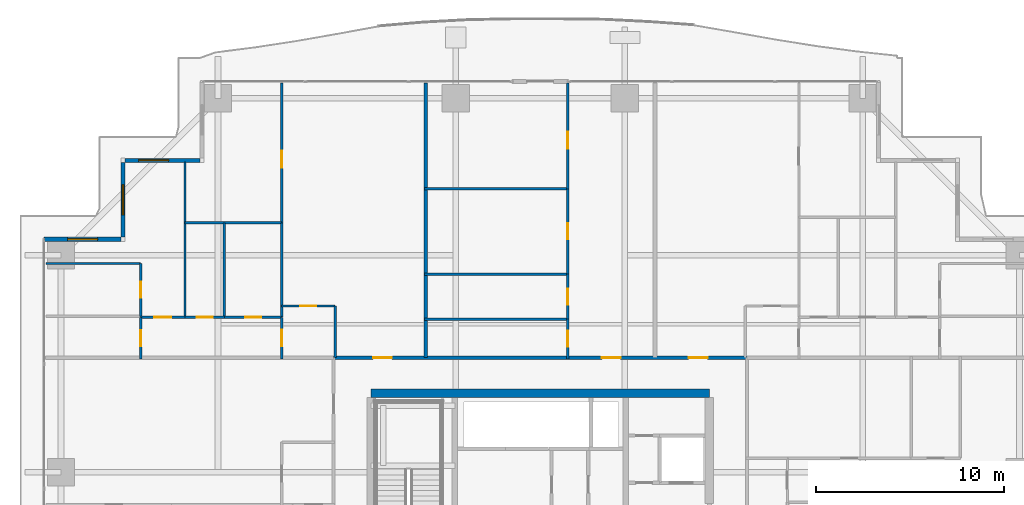
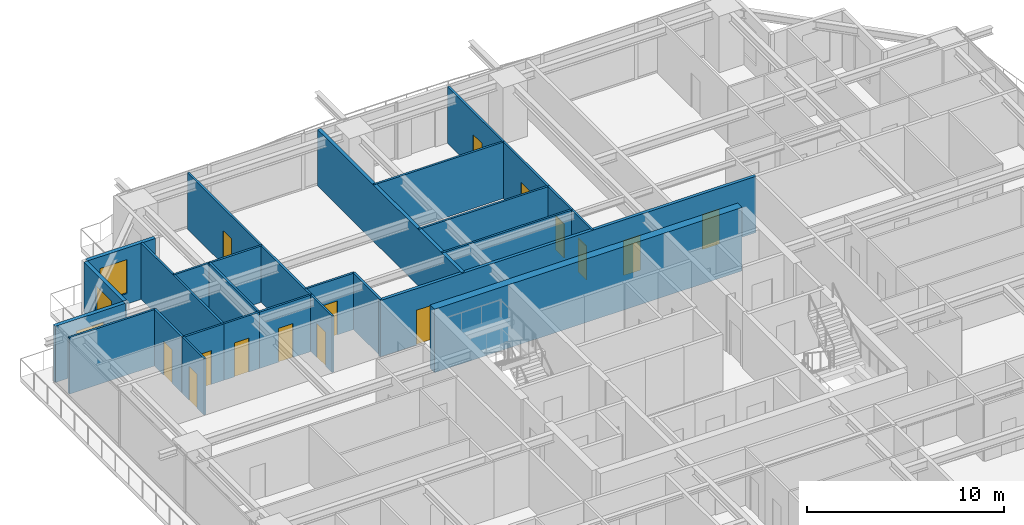
# One storey, part 30 of 37: 27 walls, 15 doors, 3 windows, 18 openings.
"""IFC4 building model written with IfcOpenShell, lengths in metres."""

import ifcopenshell
import ifcopenshell.guid

model = None  # the IFC model being written
_history = None  # IfcOwnerHistory: only IFC2X3 demands one
_inside = {}  # id of a spatial element -> (the spatial element, [elements in it])
_under = {}  # id of a project, library or spatial element -> (it, [spatial elements below it])
_declared = {}  # id of a project -> (the project, [libraries it declares])
_typed = {}  # id of a type object -> (the type object, [elements of that type])
_made_of = {}  # id of a material, layer set ... -> (it, [elements and type objects made of it])


def new_model(schema):
    """Start an empty IFC model of exactly this schema.

    Asked for "IFC4X3", IfcOpenShell would pick the latest addendum, in which some entities
    have other attributes; the version numbers below select the first issue.
    IFC2X3 requires an IfcOwnerHistory on every rooted entity: one is made here for all.
    """
    global model, _history
    if schema == "IFC4X3":
        model = ifcopenshell.file(schema_version=(4, 3, 0, 0))
    else:
        model = ifcopenshell.file(schema=schema)
    _inside.clear()
    _under.clear()
    _declared.clear()
    _typed.clear()
    _made_of.clear()
    _history = None
    if model.schema == "IFC2X3":
        org = make("IfcOrganization", Name="unknown")
        user = make(
            "IfcPersonAndOrganization",
            ThePerson=make("IfcPerson", FamilyName="unknown"),
            TheOrganization=org,
        )
        app = make(
            "IfcApplication",
            ApplicationDeveloper=org,
            Version="unknown",
            ApplicationFullName="unknown",
            ApplicationIdentifier="unknown",
        )
        _history = make(
            "IfcOwnerHistory",
            OwningUser=user,
            OwningApplication=app,
            ChangeAction="ADDED",
            CreationDate=0,
        )
    return model


def make(cls, **values):
    """One entity of the class cls with the attributes given. An attribute that is None is left unset."""
    return model.create_entity(
        cls, **{name: value for name, value in values.items() if value is not None}
    )


def rooted(cls, **values):
    """An entity with a GlobalId (a new one), such as an element, a storey or a relation."""
    return make(cls, GlobalId=ifcopenshell.guid.new(), OwnerHistory=_history, **values)


def si_unit(unit_type, name, prefix=None):
    """IfcSIUnit, for example si_unit("LENGTHUNIT", "METRE", prefix="MILLI")."""
    return make("IfcSIUnit", UnitType=unit_type, Prefix=prefix, Name=name)


def assignment(units):
    """IfcUnitAssignment: the units of a project."""
    return None if units is None else make("IfcUnitAssignment", Units=units)


def point(xyz):
    """IfcCartesianPoint."""
    return None if xyz is None else make("IfcCartesianPoint", Coordinates=xyz)


def direction(xyz):
    """IfcDirection."""
    return None if xyz is None else make("IfcDirection", DirectionRatios=xyz)


def frame(location, z_axis=None, x_axis=None):
    """IfcAxis2Placement3D, a coordinate frame: its origin and axes. An axis left out is left unset."""
    return make(
        "IfcAxis2Placement3D",
        Location=point(location),
        Axis=direction(z_axis),
        RefDirection=direction(x_axis),
    )


def frame_2d(location, x_axis=None):
    """IfcAxis2Placement2D, a coordinate frame in the plane: its origin and x axis."""
    return make(
        "IfcAxis2Placement2D", Location=point(location), RefDirection=direction(x_axis)
    )


def origin():
    """The frame at (0, 0, 0) with its axes left unset."""
    return frame((0.0, 0.0, 0.0))


def place(relative_to, where):
    """IfcLocalPlacement: puts the frame where relative to a parent placement (None: the world)."""
    return make(
        "IfcLocalPlacement", PlacementRelTo=relative_to, RelativePlacement=where
    )


def context(
    kind, dimensions, precision=None, world=None, true_north=None, identifier=None
):
    """IfcGeometricRepresentationContext, for example the 3D "Model" context."""
    return make(
        "IfcGeometricRepresentationContext",
        ContextIdentifier=identifier,
        ContextType=kind,
        CoordinateSpaceDimension=dimensions,
        Precision=precision,
        WorldCoordinateSystem=world,
        TrueNorth=true_north,
    )


def subcontext(parent, identifier, kind, view, scale=None):
    """IfcGeometricRepresentationSubContext, for example "Body" below "Model"."""
    return make(
        "IfcGeometricRepresentationSubContext",
        ContextIdentifier=identifier,
        ContextType=kind,
        ParentContext=parent,
        TargetScale=scale,
        TargetView=view,
    )


def project(units=None, contexts=None):
    """IfcProject with its units and contexts."""
    return rooted(
        "IfcProject",
        Name="project",
        RepresentationContexts=contexts,
        UnitsInContext=assignment(units),
    )


def spatial(cls, under=None, at=None, **own):
    """A site, building, storey or space (cls), placed at a placement, below another one or the project."""
    s = rooted(cls, ObjectPlacement=at, **own)
    if under is not None:
        _under.setdefault(under.id(), (under, []))[1].append(s)
    return s


def profile(cls, at=None, kind="AREA", **sizes):
    """A parametric profile (cls). Its sizes go by their IFC names, for example OverallWidth=200.0."""
    return make(cls, ProfileType=kind, Position=at, **sizes)


def rectangle(**sizes):
    """IfcRectangleProfileDef."""
    return profile("IfcRectangleProfileDef", **sizes)


def extrude(swept, where, along, depth):
    """IfcExtrudedAreaSolid: the profile swept, set in the frame where, extruded along a direction by depth."""
    return make(
        "IfcExtrudedAreaSolid",
        SweptArea=swept,
        Position=where,
        ExtrudedDirection=direction(along),
        Depth=depth,
    )


def shape(context_of_items, identifier, shape_type, items):
    """IfcShapeRepresentation: the items that make up one representation, for example the "Body"."""
    return make(
        "IfcShapeRepresentation",
        ContextOfItems=context_of_items,
        RepresentationIdentifier=identifier,
        RepresentationType=shape_type,
        Items=items,
    )


def source(mapping_origin, context_of_items, identifier, shape_type, items):
    """IfcRepresentationMap: a shape defined once, which mapped items show again and again."""
    return make(
        "IfcRepresentationMap",
        MappingOrigin=mapping_origin,
        MappedRepresentation=shape(context_of_items, identifier, shape_type, items),
    )


def transform(
    local_origin,
    x_axis=None,
    y_axis=None,
    z_axis=None,
    scale=None,
    scale2=None,
    scale3=None,
    uniform=True,
):
    """IfcCartesianTransformationOperator3D, or its non-uniform kind. x_axis, y_axis, z_axis: its Axis1, 2, 3."""
    if uniform:
        return make(
            "IfcCartesianTransformationOperator3D",
            Axis1=direction(x_axis),
            Axis2=direction(y_axis),
            LocalOrigin=point(local_origin),
            Scale=scale,
            Axis3=direction(z_axis),
        )
    return make(
        "IfcCartesianTransformationOperator3DnonUniform",
        Axis1=direction(x_axis),
        Axis2=direction(y_axis),
        LocalOrigin=point(local_origin),
        Scale=scale,
        Axis3=direction(z_axis),
        Scale2=scale2,
        Scale3=scale3,
    )


def mapped(mapping_source, mapping_target):
    """IfcMappedItem: shows the shape of a source again, moved by a transform."""
    return make(
        "IfcMappedItem", MappingSource=mapping_source, MappingTarget=mapping_target
    )


def material(Name=None, Category=None):
    """IfcMaterial."""
    return make("IfcMaterial", Name=Name, Category=Category)


def layer(
    of_material, thickness, ventilated=None, Name=None, Category=None, Priority=None
):
    """IfcMaterialLayer: one layer of a wall or slab, of a material (None: an air gap)."""
    return make(
        "IfcMaterialLayer",
        Material=of_material,
        LayerThickness=thickness,
        IsVentilated=ventilated,
        Name=Name,
        Category=Category,
        Priority=Priority,
    )


def layer_set(layers, Name=None):
    """IfcMaterialLayerSet."""
    return make("IfcMaterialLayerSet", MaterialLayers=layers, LayerSetName=Name)


def made_of(thing, what):
    """Note that an element or type object is made of a material, layer set ...; save() writes the relation."""
    if what is not None:
        _made_of.setdefault(what.id(), (what, []))[1].append(thing)
    return thing


def type_object(cls, material=None, **own):
    """A type object (cls), such as IfcWallType, which elements share."""
    return made_of(rooted(cls, **own), material)


def element(
    cls,
    number,
    at=None,
    inside=None,
    cuts=None,
    type_object=None,
    material=None,
    context=None,
    identifier="Body",
    shape_type=None,
    held_by="IfcProductDefinitionShape",
    body=None,
    shapes=None,
    **own,
):
    """One element of the class cls, such as IfcWall. Its Tag is "e" and its number.

    at: its placement. inside: the storey or other place that contains it. cuts: it is an
    opening in that element (IfcRelVoidsElement). A single representation is given by context,
    identifier, shape_type and body (its items); several are given by shapes. held_by: the class
    of the entity that holds the representations. save() writes the other relations.
    """
    e = rooted(cls, Tag="e%d" % number, ObjectPlacement=at, **own)
    if body is not None:
        shapes = [shape(context, identifier, shape_type, body)]
    if shapes is not None:
        e.Representation = make(held_by, Representations=shapes)
    if inside is not None:
        _inside.setdefault(inside.id(), (inside, []))[1].append(e)
    if cuts is not None:
        rooted(
            "IfcRelVoidsElement", RelatingBuildingElement=cuts, RelatedOpeningElement=e
        )
    if type_object is not None:
        _typed.setdefault(type_object.id(), (type_object, []))[1].append(e)
    return made_of(e, material)


def fill(opening, filler):
    """IfcRelFillsElement: the door or window that sits in an opening."""
    return rooted(
        "IfcRelFillsElement",
        RelatingOpeningElement=opening,
        RelatedBuildingElement=filler,
    )


def aggregate(whole, parts):
    """IfcRelAggregates: a whole, such as a stair, and the parts it consists of."""
    return rooted("IfcRelAggregates", RelatingObject=whole, RelatedObjects=parts)


def save(model, path):
    """Write the relations noted so far, then the file.

    IfcRelAggregates (storeys below a building ...), IfcRelContainedInSpatialStructure (elements
    in a storey), IfcRelDefinesByType, IfcRelAssociatesMaterial and IfcRelDeclares: one each for
    every whole, place, type object, material and project.
    """
    for whole, parts in _under.values():
        aggregate(whole, parts)
    for where, things in _inside.values():
        rooted(
            "IfcRelContainedInSpatialStructure",
            RelatedElements=things,
            RelatingStructure=where,
        )
    for kind, things in _typed.values():
        rooted("IfcRelDefinesByType", RelatedObjects=things, RelatingType=kind)
    for what, things in _made_of.values():
        rooted("IfcRelAssociatesMaterial", RelatedObjects=things, RelatingMaterial=what)
    for by, libraries in _declared.values():
        rooted("IfcRelDeclares", RelatingContext=by, RelatedDefinitions=libraries)
    model.write(path)


model = new_model("IFC4")

# Units and contexts
model_context = context("Model", 3, precision=1e-05, world=origin(), true_north=direction((0.0, 1.0)))
body_context = subcontext(model_context, "Body", "Model", "MODEL_VIEW")
ifc_project = project(units=[si_unit("LENGTHUNIT", "METRE"), si_unit("AREAUNIT", "SQUARE_METRE"), si_unit("VOLUMEUNIT", "CUBIC_METRE"), si_unit("PLANEANGLEUNIT", "RADIAN"), si_unit("MASSUNIT", "GRAM", prefix="KILO")], contexts=[model_context])

# Site, building, storey
site_placement = place(None, origin())
site = spatial("IfcSite", under=ifc_project, at=site_placement, CompositionType="ELEMENT")
building_placement = place(site_placement, origin())
building = spatial("IfcBuilding", under=site, at=building_placement, Name="Serunith Strait Residences", CompositionType="ELEMENT")
storey_placement = place(building_placement, frame((0.0, 0.0, 26.699951171875)))
storey = spatial("IfcBuildingStorey", under=building, at=storey_placement, Name="L05", CompositionType="ELEMENT", Elevation=26.699951171875)

# Wall, opening, window
ifc_material_1 = material(Name="Pale-Champagne Aluminium Insulated Panel", Category="aluminium")
ifc_layer_1 = layer(ifc_material_1, 0.219970703125, Name="Pale-Champagne Aluminium Insulated Panel")
ifc_layer_set_1 = layer_set([ifc_layer_1], Name="Pale-Champagne Aluminium Insulated Panel")
wall_type_1 = type_object("IfcWallType", Name="EW-ALUM-220", PredefinedType="ELEMENTEDWALL", material=ifc_layer_set_1)
wall_1_placement = place(storey_placement, frame((14.2900390625, 46.0, 0.0), z_axis=(0.0, 0.0, 1.0), x_axis=(-1.0, 0.0, 0.0)))
wall_1 = element("IfcWall", 1, at=wall_1_placement, inside=storey, type_object=wall_type_1, Name="L05 Girih Serrated Corner Wall 13", PredefinedType="ELEMENTEDWALL", context=body_context, shape_type="SweptSolid", body=[
    extrude(rectangle(XDim=3.97998046875, YDim=0.219970703125, at=frame_2d((1.989990234375, 0.0))), origin(), (0.0, 0.0, 1.0), 3.47509765625),
])
opening_1_placement = place(wall_1_placement, frame((1.666015625, 0.0, 0.64990234375)))
opening_1 = element("IfcOpeningElement", 2, at=opening_1_placement, cuts=wall_1, Name="Opening W-02", PredefinedType="OPENING", context=body_context, shape_type="SweptSolid", body=[
    extrude(rectangle(XDim=1.60009765625, YDim=2.10009765625, at=frame_2d((0.800048828125, 1.050048828125))), frame((0.0, 0.1201171875, 0.0), z_axis=(0.0, -1.0, 0.0), x_axis=(1.0, 0.0, 0.0)), (0.0, 0.0, 1.0), 0.239990234375),
])
ifc_material_2 = material(Name="Ceramic-Fritted Operable Aluminium Window Glass", Category="aluminium")
window_type = type_object("IfcWindowType", Name="WIN-C2", PartitioningType="DOUBLE_PANEL_VERTICAL", PredefinedType="WINDOW", material=ifc_material_2)
shared_shape_1 = source(origin(), body_context, "Body", "SweptSolid", [
    extrude(rectangle(XDim=1.60009765625, YDim=2.10009765625, at=frame_2d((0.800048828125, 1.050048828125))), frame((0.0, 0.030029296875, 0.0), z_axis=(0.0, -1.0, 0.0), x_axis=(1.0, 0.0, 0.0)), (0.0, 0.0, 1.0), 0.06005859375),
])
window_1_placement = place(opening_1_placement, origin())
window_1 = element("IfcWindow", 3, at=window_1_placement, inside=storey, type_object=window_type, Name="L05 Corner Operable Fritted Window 13", OverallHeight=2.10009765625, OverallWidth=1.60009765625, PartitioningType="SINGLE_PANEL", PredefinedType="WINDOW", context=body_context, shape_type="MappedRepresentation", body=[
    mapped(shared_shape_1, transform((0.0, 0.0, 0.0), scale=1.0)),
])
fill(opening_1, window_1)

wall_2_placement = place(storey_placement, frame((10.199951171875, 45.889892578125, 0.0), z_axis=(0.0, 0.0, 1.0), x_axis=(0.0, -1.0, 0.0)))
wall_2 = element("IfcWall", 4, at=wall_2_placement, inside=storey, type_object=wall_type_1, Name="L05 Girih Serrated Corner Wall 14", PredefinedType="ELEMENTEDWALL", context=body_context, shape_type="SweptSolid", body=[
    extrude(rectangle(XDim=3.97998046875, YDim=0.219970703125, at=frame_2d((1.989990234375, 0.0))), origin(), (0.0, 0.0, 1.0), 3.47509765625),
])
opening_2_placement = place(wall_2_placement, frame((1.18994140625, 0.0, 0.64990234375)))
opening_2 = element("IfcOpeningElement", 5, at=opening_2_placement, cuts=wall_2, Name="Opening W-02", PredefinedType="OPENING", context=body_context, shape_type="SweptSolid", body=[
    extrude(rectangle(XDim=1.60009765625, YDim=2.10009765625, at=frame_2d((0.800048828125, 1.050048828125))), frame((0.0, 0.1201171875, 0.0), z_axis=(0.0, -1.0, 0.0), x_axis=(1.0, 0.0, 0.0)), (0.0, 0.0, 1.0), 0.239990234375),
])
window_2_placement = place(opening_2_placement, origin())
window_2 = element("IfcWindow", 6, at=window_2_placement, inside=storey, type_object=window_type, Name="L05 Corner Operable Fritted Window 14", OverallHeight=2.10009765625, OverallWidth=1.60009765625, PartitioningType="SINGLE_PANEL", PredefinedType="WINDOW", context=body_context, shape_type="MappedRepresentation", body=[
    mapped(shared_shape_1, transform((0.0, 0.0, 0.0), scale=1.0)),
])
fill(opening_2, window_2)

wall_3_placement = place(storey_placement, frame((10.090087890625, 41.800048828125, 0.0), z_axis=(0.0, 0.0, 1.0), x_axis=(-1.0, 0.0, 0.0)))
wall_3 = element("IfcWall", 7, at=wall_3_placement, inside=storey, type_object=wall_type_1, Name="L05 Girih Serrated Corner Wall 15", PredefinedType="ELEMENTEDWALL", context=body_context, shape_type="SweptSolid", body=[
    extrude(rectangle(XDim=4.090087890625, YDim=0.219970703125, at=frame_2d((2.044921875, 0.0))), origin(), (0.0, 0.0, 1.0), 3.47509765625),
])
opening_3_placement = place(wall_3_placement, frame((1.2451171875, 0.0, 0.64990234375)))
opening_3 = element("IfcOpeningElement", 8, at=opening_3_placement, cuts=wall_3, Name="Opening W-02", PredefinedType="OPENING", context=body_context, shape_type="SweptSolid", body=[
    extrude(rectangle(XDim=1.60009765625, YDim=2.10009765625, at=frame_2d((0.800048828125, 1.050048828125))), frame((0.0, 0.1201171875, 0.0), z_axis=(0.0, -1.0, 0.0), x_axis=(1.0, 0.0, 0.0)), (0.0, 0.0, 1.0), 0.239990234375),
])
window_3_placement = place(opening_3_placement, origin())
window_3 = element("IfcWindow", 9, at=window_3_placement, inside=storey, type_object=window_type, Name="L05 Corner Operable Fritted Window 15", OverallHeight=2.10009765625, OverallWidth=1.60009765625, PartitioningType="SINGLE_PANEL", PredefinedType="WINDOW", context=body_context, shape_type="MappedRepresentation", body=[
    mapped(shared_shape_1, transform((0.0, 0.0, 0.0), scale=1.0)),
])
fill(opening_3, window_3)

# Wall, openings, doors
ifc_material_3 = material(Name="Fire-rated acoustic gypsum partition")
ifc_layer_2 = layer(ifc_material_3, 0.179931640625, Name="Fire-rated acoustic gypsum partition")
ifc_layer_set_2 = layer_set([ifc_layer_2], Name="Fire-rated acoustic gypsum partition")
wall_type_2 = type_object("IfcWallType", Name="IW-CORR-180", PredefinedType="PARTITIONING", material=ifc_layer_set_2)
wall_4_placement = place(storey_placement, frame((21.402099609375, 35.5, 0.0), z_axis=(0.0, 0.0, 1.0), x_axis=(1.0, 0.0, 0.0)))
wall_4 = element("IfcWall", 10, at=wall_4_placement, inside=storey, type_object=wall_type_2, Name="L05 Partition Wall 024", PredefinedType="PARTITIONING", context=body_context, shape_type="SweptSolid", body=[
    extrude(rectangle(XDim=21.995849609375, YDim=0.179931640625, at=frame_2d((10.998046875, 0.0))), origin(), (0.0, 0.0, 1.0), 3.489990234375),
])
opening_4_placement = place(wall_4_placement, frame((2.10009765625, 0.0, 0.0)))
opening_4 = element("IfcOpeningElement", 11, at=opening_4_placement, cuts=wall_4, Name="Opening D-APT1000", PredefinedType="OPENING", context=body_context, shape_type="SweptSolid", body=[
    extrude(rectangle(XDim=1.0, YDim=2.14990234375, at=frame_2d((0.5, 1.074951171875))), frame((0.0, 0.10009765625, 0.0), z_axis=(0.0, -1.0, 0.0), x_axis=(1.0, 0.0, 0.0)), (0.0, 0.0, 1.0), 0.199951171875),
])
opening_5_placement = place(wall_4_placement, frame((14.277099609375, 0.0, 0.0)))
opening_5 = element("IfcOpeningElement", 12, at=opening_5_placement, cuts=wall_4, Name="Opening D-APT1000", PredefinedType="OPENING", context=body_context, shape_type="SweptSolid", body=[
    extrude(rectangle(XDim=1.0, YDim=2.14990234375, at=frame_2d((0.5, 1.074951171875))), frame((0.0, 0.10009765625, 0.0), z_axis=(0.0, -1.0, 0.0), x_axis=(1.0, 0.0, 0.0)), (0.0, 0.0, 1.0), 0.199951171875),
])
opening_6_placement = place(wall_4_placement, frame((18.89599609375, 0.0, 0.0)))
opening_6 = element("IfcOpeningElement", 13, at=opening_6_placement, cuts=wall_4, Name="Opening D-APT1000", PredefinedType="OPENING", context=body_context, shape_type="SweptSolid", body=[
    extrude(rectangle(XDim=1.0, YDim=2.14990234375, at=frame_2d((0.5, 1.074951171875))), frame((0.0, 0.10009765625, 0.0), z_axis=(0.0, -1.0, 0.0), x_axis=(1.0, 0.0, 0.0)), (0.0, 0.0, 1.0), 0.199951171875),
])
ifc_material_4 = material(Name="Solid timber engineered fire door", Category="wood")
door_type_1 = type_object("IfcDoorType", Name="ID-APT-1000", OperationType="NOTDEFINED", PredefinedType="DOOR", material=ifc_material_4)
shared_shape_2 = source(origin(), body_context, "Body", "SweptSolid", [
    extrude(rectangle(XDim=1.0, YDim=2.14990234375, at=frame_2d((0.5, 1.074951171875))), frame((0.0, 0.02490234375, 0.0), z_axis=(0.0, -1.0, 0.0), x_axis=(1.0, 0.0, 0.0)), (0.0, 0.0, 1.0), 0.050048828125),
])
door_1_placement = place(opening_4_placement, origin())
door_1 = element("IfcDoor", 14, at=door_1_placement, inside=storey, type_object=door_type_1, Name="L05 Unit 04 Entrance Door", OperationType="SINGLE_SWING_RIGHT", OverallHeight=2.14990234375, OverallWidth=1.0, PredefinedType="DOOR", context=body_context, shape_type="MappedRepresentation", body=[
    mapped(shared_shape_2, transform((0.0, 0.0, 0.0), scale=1.0)),
])
fill(opening_4, door_1)
door_2_placement = place(opening_5_placement, origin())
door_2 = element("IfcDoor", 15, at=door_2_placement, inside=storey, type_object=door_type_1, Name="L05 Unit 05 Entrance Door", OperationType="SINGLE_SWING_LEFT", OverallHeight=2.14990234375, OverallWidth=1.0, PredefinedType="DOOR", context=body_context, shape_type="MappedRepresentation", body=[
    mapped(shared_shape_2, transform((0.0, 0.0, 0.0), scale=1.0)),
])
fill(opening_5, door_2)
door_3_placement = place(opening_6_placement, origin())
door_3 = element("IfcDoor", 16, at=door_3_placement, inside=storey, type_object=door_type_1, Name="L05 Unit 06 Entrance Door", OperationType="SINGLE_SWING_RIGHT", OverallHeight=2.14990234375, OverallWidth=1.0, PredefinedType="DOOR", context=body_context, shape_type="MappedRepresentation", body=[
    mapped(shared_shape_2, transform((0.0, 0.0, 0.0), scale=1.0)),
])
fill(opening_6, door_3)

# Wall, opening, door
ifc_material_5 = material(Name="Lightweight steel-stud gypsum partition", Category="steel")
ifc_layer_3 = layer(ifc_material_5, 0.1201171875, Name="Lightweight steel-stud gypsum partition")
ifc_layer_set_3 = layer_set([ifc_layer_3], Name="Lightweight steel-stud gypsum partition")
wall_type_3 = type_object("IfcWallType", Name="IW-PART-120", PredefinedType="PARTITIONING", material=ifc_layer_set_3)
wall_5_placement = place(storey_placement, frame((18.639892578125, 38.25, 0.0), z_axis=(0.0, 0.0, 1.0), x_axis=(1.0, 0.0, 0.0)))
wall_5 = element("IfcWall", 17, at=wall_5_placement, inside=storey, type_object=wall_type_3, Name="L05 Partition Wall 064", PredefinedType="PARTITIONING", context=body_context, shape_type="SweptSolid", body=[
    extrude(rectangle(XDim=2.85009765625, YDim=0.1201171875, at=frame_2d((1.425048828125, 0.0))), origin(), (0.0, 0.0, 1.0), 3.489990234375),
])
opening_7_placement = place(wall_5_placement, frame((1.0, 0.0, 0.0)))
opening_7 = element("IfcOpeningElement", 18, at=opening_7_placement, cuts=wall_5, Name="Opening D-RM850", PredefinedType="OPENING", context=body_context, shape_type="SweptSolid", body=[
    extrude(rectangle(XDim=0.85009765625, YDim=2.10009765625, at=frame_2d((0.425048828125, 1.050048828125))), frame((0.0, 0.070068359375, 0.0), z_axis=(0.0, -1.0, 0.0), x_axis=(1.0, 0.0, 0.0)), (0.0, 0.0, 1.0), 0.14013671875),
])
ifc_material_6 = material(Name="Engineered timber flush study and kitchen door", Category="wood")
door_type_2 = type_object("IfcDoorType", Name="ID-ROOM-850", OperationType="NOTDEFINED", PredefinedType="DOOR", material=ifc_material_6)
shared_shape_3 = source(origin(), body_context, "Body", "SweptSolid", [
    extrude(rectangle(XDim=0.85009765625, YDim=2.10009765625, at=frame_2d((0.425048828125, 1.050048828125))), frame((0.0, 0.02490234375, 0.0), z_axis=(0.0, -1.0, 0.0), x_axis=(1.0, 0.0, 0.0)), (0.0, 0.0, 1.0), 0.050048828125),
])
door_4_placement = place(opening_7_placement, origin())
door_4 = element("IfcDoor", 19, at=door_4_placement, inside=storey, type_object=door_type_2, Name="L05 Kitchen 0504 Door", OperationType="SINGLE_SWING_LEFT", OverallHeight=2.10009765625, OverallWidth=0.85009765625, PredefinedType="DOOR", context=body_context, shape_type="MappedRepresentation", body=[
    mapped(shared_shape_3, transform((0.0, 0.0, 0.0), scale=1.0)),
])
fill(opening_7, door_4)

# Wall
wall_6_placement = place(storey_placement, frame((21.489990234375, 38.25, 0.0), z_axis=(0.0, 0.0, 1.0), x_axis=(0.0, -1.0, 0.0)))
element("IfcWall", 20, at=wall_6_placement, inside=storey, type_object=wall_type_3, Name="L05 Partition Wall 065", PredefinedType="PARTITIONING", context=body_context, shape_type="SweptSolid", body=[
    extrude(rectangle(XDim=2.748046875, YDim=0.1201171875, at=frame_2d((1.3740234375, 0.0))), origin(), (0.0, 0.0, 1.0), 3.489990234375),
])

# Wall, opening, door
wall_7_placement = place(storey_placement, frame((18.639892578125, 37.64990234375, 0.0), z_axis=(0.0, 0.0, 1.0), x_axis=(0.0, -1.0, 0.0)))
wall_7 = element("IfcWall", 21, at=wall_7_placement, inside=storey, type_object=wall_type_3, Name="L05 Partition Wall 066", PredefinedType="PARTITIONING", context=body_context, shape_type="SweptSolid", body=[
    extrude(rectangle(XDim=2.2099609375, YDim=0.1201171875, at=frame_2d((1.10498046875, 0.0))), origin(), (0.0, 0.0, 1.0), 3.489990234375),
])
opening_8_placement = place(wall_7_placement, frame((0.655029296875, 0.0, 0.0)))
opening_8 = element("IfcOpeningElement", 22, at=opening_8_placement, cuts=wall_7, Name="Opening D-RM900", PredefinedType="OPENING", context=body_context, shape_type="SweptSolid", body=[
    extrude(rectangle(XDim=0.89990234375, YDim=2.10009765625, at=frame_2d((0.449951171875, 1.050048828125))), frame((0.0, 0.070068359375, 0.0), z_axis=(0.0, -1.0, 0.0), x_axis=(1.0, 0.0, 0.0)), (0.0, 0.0, 1.0), 0.14013671875),
])
ifc_material_7 = material(Name="Engineered timber flush bedroom door", Category="wood")
door_type_3 = type_object("IfcDoorType", Name="ID-ROOM-900", OperationType="NOTDEFINED", PredefinedType="DOOR", material=ifc_material_7)
shared_shape_4 = source(origin(), body_context, "Body", "SweptSolid", [
    extrude(rectangle(XDim=0.89990234375, YDim=2.10009765625, at=frame_2d((0.449951171875, 1.050048828125))), frame((0.0, 0.02490234375, 0.0), z_axis=(0.0, -1.0, 0.0), x_axis=(1.0, 0.0, 0.0)), (0.0, 0.0, 1.0), 0.050048828125),
])
door_5_placement = place(opening_8_placement, origin())
door_5 = element("IfcDoor", 23, at=door_5_placement, inside=storey, type_object=door_type_3, Name="L05 Hall W 0504 Door", OperationType="SINGLE_SWING_RIGHT", OverallHeight=2.10009765625, OverallWidth=0.89990234375, PredefinedType="DOOR", context=body_context, shape_type="MappedRepresentation", body=[
    mapped(shared_shape_4, transform((0.0, 0.0, 0.0), scale=1.0)),
])
fill(opening_8, door_5)

wall_8_placement = place(storey_placement, frame((18.639892578125, 50.10498046875, 0.0), z_axis=(0.0, 0.0, 1.0), x_axis=(0.0, -1.0, 0.0)))
wall_8 = element("IfcWall", 24, at=wall_8_placement, inside=storey, type_object=wall_type_3, Name="L05 Partition Wall 067", PredefinedType="PARTITIONING", context=body_context, shape_type="SweptSolid", body=[
    extrude(rectangle(XDim=7.432861328125, YDim=0.1201171875, at=frame_2d((3.71630859375, 0.0))), origin(), (0.0, 0.0, 1.0), 3.489990234375),
])
opening_9_placement = place(wall_8_placement, frame((3.593017578125, 0.0, 0.0)))
opening_9 = element("IfcOpeningElement", 25, at=opening_9_placement, cuts=wall_8, Name="Opening D-RM900", PredefinedType="OPENING", context=body_context, shape_type="SweptSolid", body=[
    extrude(rectangle(XDim=0.89990234375, YDim=2.10009765625, at=frame_2d((0.449951171875, 1.050048828125))), frame((0.0, 0.070068359375, 0.0), z_axis=(0.0, -1.0, 0.0), x_axis=(1.0, 0.0, 0.0)), (0.0, 0.0, 1.0), 0.14013671875),
])
door_6_placement = place(opening_9_placement, origin())
door_6 = element("IfcDoor", 26, at=door_6_placement, inside=storey, type_object=door_type_3, Name="L05 Formal Dining Room 1 0504 Door", OperationType="SINGLE_SWING_LEFT", OverallHeight=2.10009765625, OverallWidth=0.89990234375, PredefinedType="DOOR", context=body_context, shape_type="MappedRepresentation", body=[
    mapped(shared_shape_4, transform((0.0, 0.0, 0.0), scale=1.0)),
])
fill(opening_9, door_6)

# Walls
wall_9_placement = place(storey_placement, frame((18.639892578125, 42.669921875, 0.0), z_axis=(0.0, 0.0, 1.0), x_axis=(0.0, -1.0, 0.0)))
element("IfcWall", 27, at=wall_9_placement, inside=storey, type_object=wall_type_3, Name="L05 Partition Wall 068", PredefinedType="PARTITIONING", context=body_context, shape_type="SweptSolid", body=[
    extrude(rectangle(XDim=5.017822265625, YDim=0.1201171875, at=frame_2d((2.5087890625, 0.0))), origin(), (0.0, 0.0, 1.0), 3.489990234375),
])
wall_10_placement = place(storey_placement, frame((13.489990234375, 42.672119140625, 0.0), z_axis=(0.0, 0.0, 1.0), x_axis=(1.0, 0.0, 0.0)))
element("IfcWall", 28, at=wall_10_placement, inside=storey, type_object=wall_type_3, Name="L05 Partition Wall 069", PredefinedType="PARTITIONING", context=body_context, shape_type="SweptSolid", body=[
    extrude(rectangle(XDim=5.14990234375, YDim=0.1201171875, at=frame_2d((2.574951171875, 0.0))), origin(), (0.0, 0.0, 1.0), 3.489990234375),
])
wall_11_placement = place(storey_placement, frame((13.489990234375, 45.905029296875, 0.0), z_axis=(0.0, 0.0, 1.0), x_axis=(0.0, -1.0, 0.0)))
element("IfcWall", 29, at=wall_11_placement, inside=storey, type_object=wall_type_3, Name="L05 Partition Wall 070", PredefinedType="PARTITIONING", context=body_context, shape_type="SweptSolid", body=[
    extrude(rectangle(XDim=8.255126953125, YDim=0.1201171875, at=frame_2d((4.12744140625, 0.0))), origin(), (0.0, 0.0, 1.0), 3.489990234375),
])
wall_12_placement = place(storey_placement, frame((15.590087890625, 42.672119140625, 0.0), z_axis=(0.0, 0.0, 1.0), x_axis=(0.0, -1.0, 0.0)))
element("IfcWall", 30, at=wall_12_placement, inside=storey, type_object=wall_type_3, Name="L05 Partition Wall 071", PredefinedType="PARTITIONING", context=body_context, shape_type="SweptSolid", body=[
    extrude(rectangle(XDim=5.022216796875, YDim=0.1201171875, at=frame_2d((2.51123046875, 0.0))), origin(), (0.0, 0.0, 1.0), 3.489990234375),
])

# Wall, opening, door
wall_13_placement = place(storey_placement, frame((13.489990234375, 37.64990234375, 0.0), z_axis=(0.0, 0.0, 1.0), x_axis=(1.0, 0.0, 0.0)))
wall_13 = element("IfcWall", 31, at=wall_13_placement, inside=storey, type_object=wall_type_3, Name="L05 Partition Wall 072", PredefinedType="PARTITIONING", context=body_context, shape_type="SweptSolid", body=[
    extrude(rectangle(XDim=2.10009765625, YDim=0.1201171875, at=frame_2d((1.050048828125, 0.0))), origin(), (0.0, 0.0, 1.0), 3.489990234375),
])
opening_10_placement = place(wall_13_placement, frame((0.625, 0.0, 0.0)))
opening_10 = element("IfcOpeningElement", 32, at=opening_10_placement, cuts=wall_13, Name="Opening D-BTH850", PredefinedType="OPENING", context=body_context, shape_type="SweptSolid", body=[
    extrude(rectangle(XDim=0.85009765625, YDim=2.10009765625, at=frame_2d((0.425048828125, 1.050048828125))), frame((0.0, 0.070068359375, 0.0), z_axis=(0.0, -1.0, 0.0), x_axis=(1.0, 0.0, 0.0)), (0.0, 0.0, 1.0), 0.14013671875),
])
ifc_material_8 = material(Name="Moisture-resistant timber bathroom door", Category="wood")
door_type_4 = type_object("IfcDoorType", Name="ID-BATH-850", OperationType="NOTDEFINED", PredefinedType="DOOR", material=ifc_material_8)
door_7_placement = place(opening_10_placement, origin())
door_7 = element("IfcDoor", 33, at=door_7_placement, inside=storey, type_object=door_type_4, Name="L05 Bathroom 0504 Door", OperationType="SINGLE_SWING_RIGHT", OverallHeight=2.10009765625, OverallWidth=0.85009765625, PredefinedType="DOOR", context=body_context, shape_type="MappedRepresentation", body=[
    mapped(shared_shape_3, transform((0.0, 0.0, 0.0), scale=1.0)),
])
fill(opening_10, door_7)

wall_14_placement = place(storey_placement, frame((15.592041015625, 37.64990234375, 0.0), z_axis=(0.0, 0.0, 1.0), x_axis=(1.0, 0.0, 0.0)))
wall_14 = element("IfcWall", 34, at=wall_14_placement, inside=storey, type_object=wall_type_3, Name="L05 Partition Wall 073", PredefinedType="PARTITIONING", context=body_context, shape_type="SweptSolid", body=[
    extrude(rectangle(XDim=3.0478515625, YDim=0.1201171875, at=frame_2d((1.52392578125, 0.0))), origin(), (0.0, 0.0, 1.0), 3.489990234375),
])
opening_11_placement = place(wall_14_placement, frame((1.09912109375, 0.0, 0.0)))
opening_11 = element("IfcOpeningElement", 35, at=opening_11_placement, cuts=wall_14, Name="Opening D-RM850", PredefinedType="OPENING", context=body_context, shape_type="SweptSolid", body=[
    extrude(rectangle(XDim=0.85009765625, YDim=2.10009765625, at=frame_2d((0.425048828125, 1.050048828125))), frame((0.0, 0.070068359375, 0.0), z_axis=(0.0, -1.0, 0.0), x_axis=(1.0, 0.0, 0.0)), (0.0, 0.0, 1.0), 0.14013671875),
])
door_8_placement = place(opening_11_placement, origin())
door_8 = element("IfcDoor", 36, at=door_8_placement, inside=storey, type_object=door_type_2, Name="L05 Laundry Room 0504 Door", OperationType="SINGLE_SWING_LEFT", OverallHeight=2.10009765625, OverallWidth=0.85009765625, PredefinedType="DOOR", context=body_context, shape_type="MappedRepresentation", body=[
    mapped(shared_shape_3, transform((0.0, 0.0, 0.0), scale=1.0)),
])
fill(opening_11, door_8)

wall_15_placement = place(storey_placement, frame((11.139892578125, 37.64990234375, 0.0), z_axis=(0.0, 0.0, 1.0), x_axis=(1.0, 0.0, 0.0)))
wall_15 = element("IfcWall", 37, at=wall_15_placement, inside=storey, type_object=wall_type_3, Name="L05 Partition Wall 074", PredefinedType="PARTITIONING", context=body_context, shape_type="SweptSolid", body=[
    extrude(rectangle(XDim=2.34814453125, YDim=0.1201171875, at=frame_2d((1.174072265625, 0.0))), origin(), (0.0, 0.0, 1.0), 3.489990234375),
])
opening_12_placement = place(wall_15_placement, frame((0.72412109375, 0.0, 0.0)))
opening_12 = element("IfcOpeningElement", 38, at=opening_12_placement, cuts=wall_15, Name="Opening D-RM900", PredefinedType="OPENING", context=body_context, shape_type="SweptSolid", body=[
    extrude(rectangle(XDim=0.89990234375, YDim=2.10009765625, at=frame_2d((0.449951171875, 1.050048828125))), frame((0.0, 0.070068359375, 0.0), z_axis=(0.0, -1.0, 0.0), x_axis=(1.0, 0.0, 0.0)), (0.0, 0.0, 1.0), 0.14013671875),
])
door_9_placement = place(opening_12_placement, origin())
door_9 = element("IfcDoor", 39, at=door_9_placement, inside=storey, type_object=door_type_3, Name="L05 Master Bedroom W 0504 Door", OperationType="SINGLE_SWING_RIGHT", OverallHeight=2.10009765625, OverallWidth=0.89990234375, PredefinedType="DOOR", context=body_context, shape_type="MappedRepresentation", body=[
    mapped(shared_shape_4, transform((0.0, 0.0, 0.0), scale=1.0)),
])
fill(opening_12, door_9)

# Wall
wall_16_placement = place(storey_placement, frame((6.094970703125, 40.506103515625, 0.0), z_axis=(0.0, 0.0, 1.0), x_axis=(1.0, 0.0, 0.0)))
element("IfcWall", 40, at=wall_16_placement, inside=storey, type_object=wall_type_3, Name="L05 Partition Wall 075", PredefinedType="PARTITIONING", context=body_context, shape_type="SweptSolid", body=[
    extrude(rectangle(XDim=5.044921875, YDim=0.1201171875, at=frame_2d((2.5224609375, 0.0))), origin(), (0.0, 0.0, 1.0), 3.489990234375),
])

# Wall, opening, door
wall_17_placement = place(storey_placement, frame((11.139892578125, 40.506103515625, 0.0), z_axis=(0.0, 0.0, 1.0), x_axis=(0.0, -1.0, 0.0)))
wall_17 = element("IfcWall", 41, at=wall_17_placement, inside=storey, type_object=wall_type_3, Name="L05 Partition Wall 077", PredefinedType="PARTITIONING", context=body_context, shape_type="SweptSolid", body=[
    extrude(rectangle(XDim=2.80810546875, YDim=0.1201171875, at=frame_2d((1.404052734375, 0.0))), origin(), (0.0, 0.0, 1.0), 3.489990234375),
])
opening_13_placement = place(wall_17_placement, frame((0.97900390625, 0.0, 0.0)))
opening_13 = element("IfcOpeningElement", 42, at=opening_13_placement, cuts=wall_17, Name="Opening D-BTH850", PredefinedType="OPENING", context=body_context, shape_type="SweptSolid", body=[
    extrude(rectangle(XDim=0.85009765625, YDim=2.10009765625, at=frame_2d((0.425048828125, 1.050048828125))), frame((0.0, 0.070068359375, 0.0), z_axis=(0.0, -1.0, 0.0), x_axis=(1.0, 0.0, 0.0)), (0.0, 0.0, 1.0), 0.14013671875),
])
door_10_placement = place(opening_13_placement, origin())
door_10 = element("IfcDoor", 43, at=door_10_placement, inside=storey, type_object=door_type_4, Name="L05 En-suite Bathroom W 0504 Door", OperationType="SINGLE_SWING_LEFT", OverallHeight=2.10009765625, OverallWidth=0.85009765625, PredefinedType="DOOR", context=body_context, shape_type="MappedRepresentation", body=[
    mapped(shared_shape_3, transform((0.0, 0.0, 0.0), scale=1.0)),
])
fill(opening_13, door_10)

wall_18_placement = place(storey_placement, frame((11.139892578125, 37.64990234375, 0.0), z_axis=(0.0, 0.0, 1.0), x_axis=(0.0, -1.0, 0.0)))
wall_18 = element("IfcWall", 44, at=wall_18_placement, inside=storey, type_object=wall_type_3, Name="L05 Partition Wall 078", PredefinedType="PARTITIONING", context=body_context, shape_type="SweptSolid", body=[
    extrude(rectangle(XDim=2.2099609375, YDim=0.1201171875, at=frame_2d((1.10498046875, 0.0))), origin(), (0.0, 0.0, 1.0), 3.489990234375),
])
opening_14_placement = place(wall_18_placement, frame((0.679931640625, 0.0, 0.0)))
opening_14 = element("IfcOpeningElement", 45, at=opening_14_placement, cuts=wall_18, Name="Opening D-RM850", PredefinedType="OPENING", context=body_context, shape_type="SweptSolid", body=[
    extrude(rectangle(XDim=0.85009765625, YDim=2.10009765625, at=frame_2d((0.425048828125, 1.050048828125))), frame((0.0, 0.070068359375, 0.0), z_axis=(0.0, -1.0, 0.0), x_axis=(1.0, 0.0, 0.0)), (0.0, 0.0, 1.0), 0.14013671875),
])
door_11_placement = place(opening_14_placement, origin())
door_11 = element("IfcDoor", 46, at=door_11_placement, inside=storey, type_object=door_type_2, Name="L05 Wardrobe W 0504 Door", OperationType="SINGLE_SWING_RIGHT", OverallHeight=2.10009765625, OverallWidth=0.85009765625, PredefinedType="DOOR", context=body_context, shape_type="MappedRepresentation", body=[
    mapped(shared_shape_3, transform((0.0, 0.0, 0.0), scale=1.0)),
])
fill(opening_14, door_11)

wall_19_placement = place(storey_placement, frame((33.860107421875, 50.10498046875, 0.0), z_axis=(0.0, 0.0, 1.0), x_axis=(0.0, -1.0, 0.0)))
wall_19 = element("IfcWall", 47, at=wall_19_placement, inside=storey, type_object=wall_type_3, Name="L05 Partition Wall 079", PredefinedType="PARTITIONING", context=body_context, shape_type="SweptSolid", body=[
    extrude(rectangle(XDim=5.618896484375, YDim=0.1201171875, at=frame_2d((2.8095703125, 0.0))), origin(), (0.0, 0.0, 1.0), 3.489990234375),
])
opening_15_placement = place(wall_19_placement, frame((2.594970703125, 0.0, 0.0)))
opening_15 = element("IfcOpeningElement", 48, at=opening_15_placement, cuts=wall_19, Name="Opening D-RM900", PredefinedType="OPENING", context=body_context, shape_type="SweptSolid", body=[
    extrude(rectangle(XDim=0.89990234375, YDim=2.10009765625, at=frame_2d((0.449951171875, 1.050048828125))), frame((0.0, 0.070068359375, 0.0), z_axis=(0.0, -1.0, 0.0), x_axis=(1.0, 0.0, 0.0)), (0.0, 0.0, 1.0), 0.14013671875),
])
door_12_placement = place(opening_15_placement, origin())
door_12 = element("IfcDoor", 49, at=door_12_placement, inside=storey, type_object=door_type_3, Name="L05 Master Bedroom 1 0505 Door", OperationType="SINGLE_SWING_LEFT", OverallHeight=2.10009765625, OverallWidth=0.89990234375, PredefinedType="DOOR", context=body_context, shape_type="MappedRepresentation", body=[
    mapped(shared_shape_4, transform((0.0, 0.0, 0.0), scale=1.0)),
])
fill(opening_15, door_12)

# Walls
for number, where, z_axis, x_axis, name in (
    (50, (26.239990234375, 44.486083984375, 0.0), (0.0, 0.0, 1.0), (1.0, 0.0, 0.0), "L05 Partition Wall 080"),
    (51, (26.239990234375, 39.944091796875, 0.0), (0.0, 0.0, 1.0), (1.0, 0.0, 0.0), "L05 Partition Wall 081"),
    (52, (26.239990234375, 37.550048828125, 0.0), (0.0, 0.0, 1.0), (1.0, 0.0, 0.0), "L05 Partition Wall 082"),
):
    element("IfcWall", number, at=place(storey_placement, frame(where, z_axis=z_axis, x_axis=x_axis)), inside=storey, type_object=wall_type_3, Name=name, PredefinedType="PARTITIONING", context=body_context, shape_type="SweptSolid", body=[
        extrude(rectangle(XDim=7.6201171875, YDim=0.1201171875, at=frame_2d((3.81005859375, 0.0))), origin(), (0.0, 0.0, 1.0), 3.489990234375),
    ])

# Wall, opening, door
wall_20_placement = place(storey_placement, frame((33.860107421875, 44.48388671875, 0.0), z_axis=(0.0, 0.0, 1.0), x_axis=(0.0, -1.0, 0.0)))
wall_20 = element("IfcWall", 53, at=wall_20_placement, inside=storey, type_object=wall_type_3, Name="L05 Partition Wall 083", PredefinedType="PARTITIONING", context=body_context, shape_type="SweptSolid", body=[
    extrude(rectangle(XDim=4.539794921875, YDim=0.1201171875, at=frame_2d((2.27001953125, 0.0))), origin(), (0.0, 0.0, 1.0), 3.489990234375),
])
opening_16_placement = place(wall_20_placement, frame((1.844970703125, 0.0, 0.0)))
opening_16 = element("IfcOpeningElement", 54, at=opening_16_placement, cuts=wall_20, Name="Opening D-RM850", PredefinedType="OPENING", context=body_context, shape_type="SweptSolid", body=[
    extrude(rectangle(XDim=0.85009765625, YDim=2.10009765625, at=frame_2d((0.425048828125, 1.050048828125))), frame((0.0, 0.070068359375, 0.0), z_axis=(0.0, -1.0, 0.0), x_axis=(1.0, 0.0, 0.0)), (0.0, 0.0, 1.0), 0.14013671875),
])
door_13_placement = place(opening_16_placement, origin())
door_13 = element("IfcDoor", 55, at=door_13_placement, inside=storey, type_object=door_type_2, Name="L05 Dining 0505 Door", OperationType="SINGLE_SWING_RIGHT", OverallHeight=2.10009765625, OverallWidth=0.85009765625, PredefinedType="DOOR", context=body_context, shape_type="MappedRepresentation", body=[
    mapped(shared_shape_3, transform((0.0, 0.0, 0.0), scale=1.0)),
])
fill(opening_16, door_13)

wall_21_placement = place(storey_placement, frame((33.860107421875, 39.94189453125, 0.0), z_axis=(0.0, 0.0, 1.0), x_axis=(0.0, -1.0, 0.0)))
wall_21 = element("IfcWall", 56, at=wall_21_placement, inside=storey, type_object=wall_type_3, Name="L05 Partition Wall 084", PredefinedType="PARTITIONING", context=body_context, shape_type="SweptSolid", body=[
    extrude(rectangle(XDim=2.391845703125, YDim=0.1201171875, at=frame_2d((1.19580078125, 0.0))), origin(), (0.0, 0.0, 1.0), 3.489990234375),
])
opening_17_placement = place(wall_21_placement, frame((0.77099609375, 0.0, 0.0)))
opening_17 = element("IfcOpeningElement", 57, at=opening_17_placement, cuts=wall_21, Name="Opening D-RM850", PredefinedType="OPENING", context=body_context, shape_type="SweptSolid", body=[
    extrude(rectangle(XDim=0.85009765625, YDim=2.10009765625, at=frame_2d((0.425048828125, 1.050048828125))), frame((0.0, 0.070068359375, 0.0), z_axis=(0.0, -1.0, 0.0), x_axis=(1.0, 0.0, 0.0)), (0.0, 0.0, 1.0), 0.14013671875),
])
door_14_placement = place(opening_17_placement, origin())
door_14 = element("IfcDoor", 58, at=door_14_placement, inside=storey, type_object=door_type_2, Name="L05 Kitchen 0505 Door", OperationType="SINGLE_SWING_LEFT", OverallHeight=2.10009765625, OverallWidth=0.85009765625, PredefinedType="DOOR", context=body_context, shape_type="MappedRepresentation", body=[
    mapped(shared_shape_3, transform((0.0, 0.0, 0.0), scale=1.0)),
])
fill(opening_17, door_14)

wall_22_placement = place(storey_placement, frame((33.860107421875, 37.548095703125, 0.0), z_axis=(0.0, 0.0, 1.0), x_axis=(0.0, -1.0, 0.0)))
wall_22 = element("IfcWall", 59, at=wall_22_placement, inside=storey, type_object=wall_type_3, Name="L05 Partition Wall 085", PredefinedType="PARTITIONING", context=body_context, shape_type="SweptSolid", body=[
    extrude(rectangle(XDim=2.108154296875, YDim=0.1201171875, at=frame_2d((1.05419921875, 0.0))), origin(), (0.0, 0.0, 1.0), 3.489990234375),
])
opening_18_placement = place(wall_22_placement, frame((0.62890625, 0.0, 0.0)))
opening_18 = element("IfcOpeningElement", 60, at=opening_18_placement, cuts=wall_22, Name="Opening D-BTH850", PredefinedType="OPENING", context=body_context, shape_type="SweptSolid", body=[
    extrude(rectangle(XDim=0.85009765625, YDim=2.10009765625, at=frame_2d((0.425048828125, 1.050048828125))), frame((0.0, 0.070068359375, 0.0), z_axis=(0.0, -1.0, 0.0), x_axis=(1.0, 0.0, 0.0)), (0.0, 0.0, 1.0), 0.14013671875),
])
door_15_placement = place(opening_18_placement, origin())
door_15 = element("IfcDoor", 61, at=door_15_placement, inside=storey, type_object=door_type_4, Name="L05 Bathroom 0505 Door", OperationType="SINGLE_SWING_RIGHT", OverallHeight=2.10009765625, OverallWidth=0.85009765625, PredefinedType="DOOR", context=body_context, shape_type="MappedRepresentation", body=[
    mapped(shared_shape_3, transform((0.0, 0.0, 0.0), scale=1.0)),
])
fill(opening_18, door_15)

# Walls
ifc_material_9 = material(Name="Twin-stud acoustic gypsum board partition")
ifc_layer_4 = layer(ifc_material_9, 0.199951171875, Name="Twin-stud acoustic gypsum board partition")
ifc_layer_set_4 = layer_set([ifc_layer_4], Name="Twin-stud acoustic gypsum board partition")
wall_type_4 = type_object("IfcWallType", Name="IW-PARTY-200", PredefinedType="PARTITIONING", material=ifc_layer_set_4)
wall_23_placement = place(storey_placement, frame((26.300048828125, 35.5, 0.0), z_axis=(0.0, 0.0, 1.0), x_axis=(0.0, 1.0, 0.0)))
element("IfcWall", 62, at=wall_23_placement, inside=storey, type_object=wall_type_4, Name="L05 Partition Wall 017", PredefinedType="PARTITIONING", context=body_context, shape_type="SweptSolid", body=[
    extrude(rectangle(XDim=14.617919921875, YDim=0.199951171875, at=frame_2d((7.30908203125, 0.0))), origin(), (0.0, 0.0, 1.0), 3.489990234375),
])
ifc_material_10 = material(Name="Concrete C80/95", Category="concrete")
ifc_layer_5 = layer(ifc_material_10, 0.449951171875, Name="Concrete C80/95")
ifc_layer_set_5 = layer_set([ifc_layer_5], Name="Concrete C80/95")
wall_type_5 = type_object("IfcWallType", Name="SW-450-C80", PredefinedType="SHEAR", material=ifc_layer_set_5)
wall_24_placement = place(storey_placement, frame((41.39990234375, 33.60009765625, -0.43994140625), z_axis=(0.0, 0.0, 1.0), x_axis=(-1.0, 0.0, 0.0)))
element("IfcWall", 63, at=wall_24_placement, inside=storey, type_object=wall_type_5, Name="L05 Core North Shear Wall", PredefinedType="SHEAR", context=body_context, shape_type="SweptSolid", body=[
    extrude(rectangle(XDim=18.0, YDim=0.449951171875, at=frame_2d((9.0, 0.0))), origin(), (0.0, 0.0, 1.0), 3.927978515625),
])

save(model, "model.ifc")
